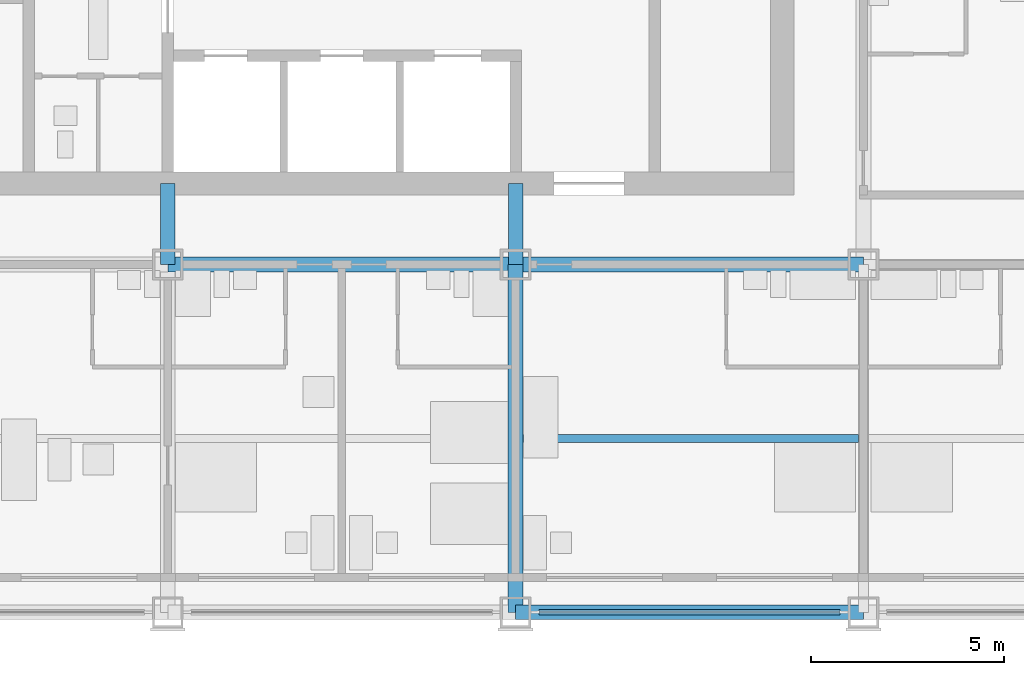
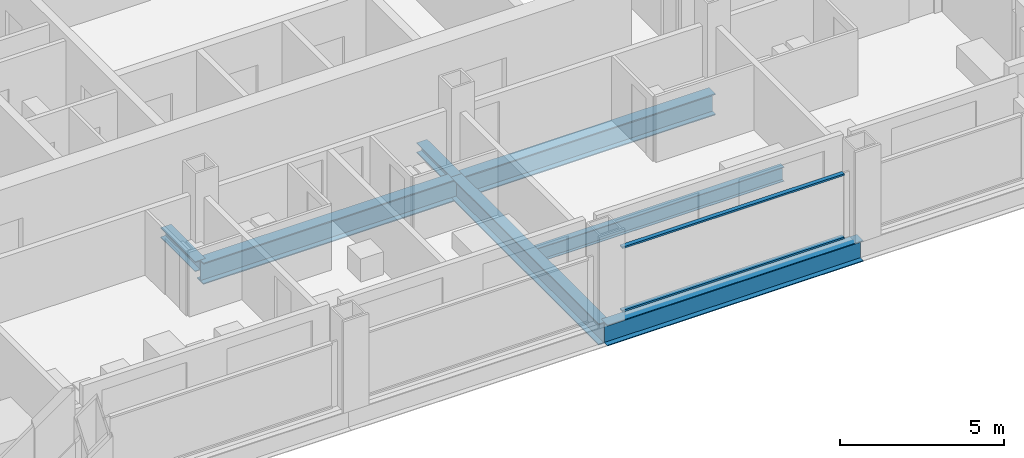
# One storey, part 3 of 16: 5 beams, 4 members, 1 element without a shape of its own.
"""IFC4 building model written with IfcOpenShell, lengths in metres."""

import ifcopenshell
import ifcopenshell.guid

model = None  # the IFC model being written
_history = None  # IfcOwnerHistory: only IFC2X3 demands one
_inside = {}  # id of a spatial element -> (the spatial element, [elements in it])
_under = {}  # id of a project, library or spatial element -> (it, [spatial elements below it])
_declared = {}  # id of a project -> (the project, [libraries it declares])
_typed = {}  # id of a type object -> (the type object, [elements of that type])
_made_of = {}  # id of a material, layer set ... -> (it, [elements and type objects made of it])


def new_model(schema):
    """Start an empty IFC model of exactly this schema.

    Asked for "IFC4X3", IfcOpenShell would pick the latest addendum, in which some entities
    have other attributes; the version numbers below select the first issue.
    IFC2X3 requires an IfcOwnerHistory on every rooted entity: one is made here for all.
    """
    global model, _history
    if schema == "IFC4X3":
        model = ifcopenshell.file(schema_version=(4, 3, 0, 0))
    else:
        model = ifcopenshell.file(schema=schema)
    _inside.clear()
    _under.clear()
    _declared.clear()
    _typed.clear()
    _made_of.clear()
    _history = None
    if model.schema == "IFC2X3":
        org = make("IfcOrganization", Name="unknown")
        user = make(
            "IfcPersonAndOrganization",
            ThePerson=make("IfcPerson", FamilyName="unknown"),
            TheOrganization=org,
        )
        app = make(
            "IfcApplication",
            ApplicationDeveloper=org,
            Version="unknown",
            ApplicationFullName="unknown",
            ApplicationIdentifier="unknown",
        )
        _history = make(
            "IfcOwnerHistory",
            OwningUser=user,
            OwningApplication=app,
            ChangeAction="ADDED",
            CreationDate=0,
        )
    return model


def make(cls, **values):
    """One entity of the class cls with the attributes given. An attribute that is None is left unset."""
    return model.create_entity(
        cls, **{name: value for name, value in values.items() if value is not None}
    )


def rooted(cls, **values):
    """An entity with a GlobalId (a new one), such as an element, a storey or a relation."""
    return make(cls, GlobalId=ifcopenshell.guid.new(), OwnerHistory=_history, **values)


def si_unit(unit_type, name, prefix=None):
    """IfcSIUnit, for example si_unit("LENGTHUNIT", "METRE", prefix="MILLI")."""
    return make("IfcSIUnit", UnitType=unit_type, Prefix=prefix, Name=name)


def assignment(units):
    """IfcUnitAssignment: the units of a project."""
    return None if units is None else make("IfcUnitAssignment", Units=units)


def point(xyz):
    """IfcCartesianPoint."""
    return None if xyz is None else make("IfcCartesianPoint", Coordinates=xyz)


def direction(xyz):
    """IfcDirection."""
    return None if xyz is None else make("IfcDirection", DirectionRatios=xyz)


def frame(location, z_axis=None, x_axis=None):
    """IfcAxis2Placement3D, a coordinate frame: its origin and axes. An axis left out is left unset."""
    return make(
        "IfcAxis2Placement3D",
        Location=point(location),
        Axis=direction(z_axis),
        RefDirection=direction(x_axis),
    )


def frame_2d(location, x_axis=None):
    """IfcAxis2Placement2D, a coordinate frame in the plane: its origin and x axis."""
    return make(
        "IfcAxis2Placement2D", Location=point(location), RefDirection=direction(x_axis)
    )


def origin():
    """The frame at (0, 0, 0) with its axes left unset."""
    return frame((0.0, 0.0, 0.0))


def origin_2d():
    """The frame at (0, 0) in the plane with its x axis left unset."""
    return frame_2d((0.0, 0.0))


def place(relative_to, where):
    """IfcLocalPlacement: puts the frame where relative to a parent placement (None: the world)."""
    return make(
        "IfcLocalPlacement", PlacementRelTo=relative_to, RelativePlacement=where
    )


def context(
    kind, dimensions, precision=None, world=None, true_north=None, identifier=None
):
    """IfcGeometricRepresentationContext, for example the 3D "Model" context."""
    return make(
        "IfcGeometricRepresentationContext",
        ContextIdentifier=identifier,
        ContextType=kind,
        CoordinateSpaceDimension=dimensions,
        Precision=precision,
        WorldCoordinateSystem=world,
        TrueNorth=true_north,
    )


def subcontext(parent, identifier, kind, view, scale=None):
    """IfcGeometricRepresentationSubContext, for example "Body" below "Model"."""
    return make(
        "IfcGeometricRepresentationSubContext",
        ContextIdentifier=identifier,
        ContextType=kind,
        ParentContext=parent,
        TargetScale=scale,
        TargetView=view,
    )


def project(units=None, contexts=None):
    """IfcProject with its units and contexts."""
    return rooted(
        "IfcProject",
        Name="project",
        RepresentationContexts=contexts,
        UnitsInContext=assignment(units),
    )


def spatial(cls, under=None, at=None, **own):
    """A site, building, storey or space (cls), placed at a placement, below another one or the project."""
    s = rooted(cls, ObjectPlacement=at, **own)
    if under is not None:
        _under.setdefault(under.id(), (under, []))[1].append(s)
    return s


def profile(cls, at=None, kind="AREA", **sizes):
    """A parametric profile (cls). Its sizes go by their IFC names, for example OverallWidth=200.0."""
    return make(cls, ProfileType=kind, Position=at, **sizes)


def rectangle(**sizes):
    """IfcRectangleProfileDef."""
    return profile("IfcRectangleProfileDef", **sizes)


def i_section(**sizes):
    """IfcIShapeProfileDef."""
    return profile("IfcIShapeProfileDef", **sizes)


def extrude(swept, where, along, depth):
    """IfcExtrudedAreaSolid: the profile swept, set in the frame where, extruded along a direction by depth."""
    return make(
        "IfcExtrudedAreaSolid",
        SweptArea=swept,
        Position=where,
        ExtrudedDirection=direction(along),
        Depth=depth,
    )


def shape(context_of_items, identifier, shape_type, items):
    """IfcShapeRepresentation: the items that make up one representation, for example the "Body"."""
    return make(
        "IfcShapeRepresentation",
        ContextOfItems=context_of_items,
        RepresentationIdentifier=identifier,
        RepresentationType=shape_type,
        Items=items,
    )


def material(Name=None, Category=None):
    """IfcMaterial."""
    return make("IfcMaterial", Name=Name, Category=Category)


def material_profile(
    of_material, cross_section, Name=None, Category=None, Priority=None
):
    """IfcMaterialProfile: a cross section and its material."""
    return make(
        "IfcMaterialProfile",
        Name=Name,
        Material=of_material,
        Profile=cross_section,
        Priority=Priority,
        Category=Category,
    )


def profile_set(profiles, Name=None, composite=None):
    """IfcMaterialProfileSet."""
    return make(
        "IfcMaterialProfileSet",
        Name=Name,
        MaterialProfiles=profiles,
        CompositeProfile=composite,
    )


def made_of(thing, what):
    """Note that an element or type object is made of a material, layer set ...; save() writes the relation."""
    if what is not None:
        _made_of.setdefault(what.id(), (what, []))[1].append(thing)
    return thing


def type_object(cls, material=None, **own):
    """A type object (cls), such as IfcWallType, which elements share."""
    return made_of(rooted(cls, **own), material)


def element(
    cls,
    number,
    at=None,
    inside=None,
    cuts=None,
    type_object=None,
    material=None,
    context=None,
    identifier="Body",
    shape_type=None,
    held_by="IfcProductDefinitionShape",
    body=None,
    shapes=None,
    **own,
):
    """One element of the class cls, such as IfcWall. Its Tag is "e" and its number.

    at: its placement. inside: the storey or other place that contains it. cuts: it is an
    opening in that element (IfcRelVoidsElement). A single representation is given by context,
    identifier, shape_type and body (its items); several are given by shapes. held_by: the class
    of the entity that holds the representations. save() writes the other relations.
    """
    e = rooted(cls, Tag="e%d" % number, ObjectPlacement=at, **own)
    if body is not None:
        shapes = [shape(context, identifier, shape_type, body)]
    if shapes is not None:
        e.Representation = make(held_by, Representations=shapes)
    if inside is not None:
        _inside.setdefault(inside.id(), (inside, []))[1].append(e)
    if cuts is not None:
        rooted(
            "IfcRelVoidsElement", RelatingBuildingElement=cuts, RelatedOpeningElement=e
        )
    if type_object is not None:
        _typed.setdefault(type_object.id(), (type_object, []))[1].append(e)
    return made_of(e, material)


def aggregate(whole, parts):
    """IfcRelAggregates: a whole, such as a stair, and the parts it consists of."""
    return rooted("IfcRelAggregates", RelatingObject=whole, RelatedObjects=parts)


def save(model, path):
    """Write the relations noted so far, then the file.

    IfcRelAggregates (storeys below a building ...), IfcRelContainedInSpatialStructure (elements
    in a storey), IfcRelDefinesByType, IfcRelAssociatesMaterial and IfcRelDeclares: one each for
    every whole, place, type object, material and project.
    """
    for whole, parts in _under.values():
        aggregate(whole, parts)
    for where, things in _inside.values():
        rooted(
            "IfcRelContainedInSpatialStructure",
            RelatedElements=things,
            RelatingStructure=where,
        )
    for kind, things in _typed.values():
        rooted("IfcRelDefinesByType", RelatedObjects=things, RelatingType=kind)
    for what, things in _made_of.values():
        rooted("IfcRelAssociatesMaterial", RelatedObjects=things, RelatingMaterial=what)
    for by, libraries in _declared.values():
        rooted("IfcRelDeclares", RelatingContext=by, RelatedDefinitions=libraries)
    model.write(path)


model = new_model("IFC4")

# Units and contexts
model_context = context("Model", 3, precision=1e-05, world=origin(), true_north=direction((0.0, 1.0)))
body_context = subcontext(model_context, "Body", "Model", "MODEL_VIEW")
ifc_project = project(units=[si_unit("LENGTHUNIT", "METRE"), si_unit("AREAUNIT", "SQUARE_METRE"), si_unit("VOLUMEUNIT", "CUBIC_METRE"), si_unit("PLANEANGLEUNIT", "RADIAN"), si_unit("MASSUNIT", "GRAM", prefix="KILO")], contexts=[model_context])

# Site, building, storey
site_placement = place(None, origin())
site = spatial("IfcSite", under=ifc_project, at=site_placement, CompositionType="ELEMENT")
building_placement = place(site_placement, origin())
building = spatial("IfcBuilding", under=site, at=building_placement, Name="Loomwork Tower", CompositionType="ELEMENT")
storey_placement = place(building_placement, frame((0.0, 0.0, 131.60009765625)))
storey = spatial("IfcBuildingStorey", under=building, at=storey_placement, Name="L35", CompositionType="ELEMENT", Elevation=131.60009765625)

# Beams
ifc_material_1 = material(Name="Steel ASTM A992", Category="steel")
ifc_material_profile_1 = material_profile(ifc_material_1, i_section(OverallWidth=0.383544921875, OverallDepth=0.794921875, WebThickness=0.02099609375, FlangeThickness=0.0380859375, at=origin_2d()), Name="W30x235")
ifc_profile_set_1 = profile_set([ifc_material_profile_1], Name="Steel ASTM A992")
beam_type_1 = type_object("IfcBeamType", Name="CORE FLANK GIRDER W30x235", PredefinedType="BEAM", material=ifc_profile_set_1)
for number, where, z_axis, x_axis, name in (
    (1, (18.0, 9.0, -0.59765625), (1.0, 0.0, 0.0), (0.0, 1.0, 0.0), "Core Flank Girder E/4-E/5 L35"),
    (2, (27.0, 9.0, -0.59765625), (1.0, 0.0, 0.0), (0.0, 1.0, 0.0), "Core Flank Girder E/5-E/6 L35"),
    (3, (27.0, 0.0, -0.59765625), (0.0, 1.0, 0.0), (-1.0, 0.0, 0.0), "Core Flank Girder D/5-E/5 L35"),
):
    element("IfcBeam", number, at=place(storey_placement, frame(where, z_axis=z_axis, x_axis=x_axis)), inside=storey, type_object=beam_type_1, Name=name, PredefinedType="BEAM", context=body_context, shape_type="SweptSolid", body=[
        extrude(i_section(OverallWidth=0.383544921875, OverallDepth=0.794921875, WebThickness=0.02099609375, FlangeThickness=0.0380859375, at=origin_2d()), origin(), (0.0, 0.0, 1.0), 9.0),
    ])

# Members
ifc_material_2 = material(Name="Steel ASTM A992", Category="steel")
ifc_material_profile_2 = material_profile(ifc_material_2, i_section(OverallWidth=0.373291015625, OverallDepth=0.373291015625, WebThickness=0.016357421875, FlangeThickness=0.026123046875, at=origin_2d()), Name="W14x132")
ifc_profile_set_2 = profile_set([ifc_material_profile_2], Name="Steel ASTM A992")
member_type_1 = type_object("IfcMemberType", Name="CORE LINK STRUT W14x132", PredefinedType="STRUT", material=ifc_profile_set_2)
for number, where, z_axis, x_axis, name in (
    (4, (27.0, 9.0, -0.38671875), (0.0, 1.0, 0.0), (-1.0, 0.0, 0.0), "Core link strut E/5-27.000,11.100 L35"),
    (5, (18.0, 9.0, -0.38671875), (0.0, 1.0, 0.0), (-1.0, 0.0, 0.0), "Core link strut E/4-18.000,11.100 L35"),
):
    element("IfcMember", number, at=place(storey_placement, frame(where, z_axis=z_axis, x_axis=x_axis)), inside=storey, type_object=member_type_1, Name=name, PredefinedType="STRUT", context=body_context, shape_type="SweptSolid", body=[
        extrude(i_section(OverallWidth=0.373291015625, OverallDepth=0.373291015625, WebThickness=0.016357421875, FlangeThickness=0.026123046875, at=origin_2d()), origin(), (0.0, 0.0, 1.0), 2.10009765625),
    ])

# Beam
ifc_material_3 = material(Name="Steel ASTM A992", Category="steel")
ifc_material_profile_3 = material_profile(ifc_material_3, i_section(OverallWidth=0.2109375, OverallDepth=0.53857421875, WebThickness=0.011474609375, FlangeThickness=0.018798828125, at=origin_2d()), Name="W21x73")
ifc_profile_set_3 = profile_set([ifc_material_profile_3], Name="Steel ASTM A992")
beam_type_2 = type_object("IfcBeamType", Name="FLOOR JOIST W21x73", PredefinedType="JOIST", material=ifc_profile_set_3)
beam_1_placement = place(storey_placement, frame((27.19091796875, 4.5, -0.46923828125), z_axis=(1.0, 0.0, 0.0), x_axis=(0.0, 1.0, 0.0)))
element("IfcBeam", 6, at=beam_1_placement, inside=storey, type_object=beam_type_2, Name="Floor Joist 27.000,4.500-36.000,4.500 L35", PredefinedType="JOIST", context=body_context, shape_type="SweptSolid", body=[
    extrude(i_section(OverallWidth=0.2109375, OverallDepth=0.53857421875, WebThickness=0.011474609375, FlangeThickness=0.018798828125, at=origin_2d()), origin(), (0.0, 0.0, 1.0), 8.676025390625),
])

# Curtain wall, members
ifc_material_4 = material(Name="Aluminium curtain wall frame", Category="aluminium")
curtain_wall_type = type_object("IfcCurtainWallType", Name="Outer skin glazing hotel", PredefinedType="NOTDEFINED", material=ifc_material_4)
curtain_wall_placement = place(storey_placement, origin())
curtain_wall = element("IfcCurtainWall", 7, at=curtain_wall_placement, inside=storey, type_object=curtain_wall_type, Name="Outer skin glazing hotel cw/S-27", PredefinedType="NOTDEFINED")
ifc_material_5 = material(Name="Aluminium curtain wall frame", Category="aluminium")
ifc_material_profile_4 = material_profile(ifc_material_5, rectangle(XDim=0.14990234375, YDim=0.06494140625, at=origin_2d()), Name="AL 65x150")
ifc_profile_set_4 = profile_set([ifc_material_profile_4], Name="Aluminium curtain wall frame")
member_type_2 = type_object("IfcMemberType", Name="Outer skin glazing hotel transom", PredefinedType="USERDEFINED", material=ifc_profile_set_4)
member_1_placement = place(storey_placement, frame((27.60009765625, 0.0, 0.032470703125), z_axis=(1.0, 0.0, 0.0), x_axis=(0.0, 1.0, 0.0)))
member_1 = element("IfcMember", 8, at=member_1_placement, type_object=member_type_2, Name="CW1 transom 1.1", ObjectType="TRANSOM", PredefinedType="USERDEFINED", context=body_context, shape_type="SweptSolid", body=[
    extrude(rectangle(XDim=0.14990234375, YDim=0.06494140625, at=origin_2d()), origin(), (0.0, 0.0, 1.0), 7.7998046875),
])
member_2_placement = place(storey_placement, frame((27.60009765625, 0.0, 2.3876953125), z_axis=(1.0, 0.0, 0.0), x_axis=(0.0, 1.0, 0.0)))
member_2 = element("IfcMember", 9, at=member_2_placement, type_object=member_type_2, Name="CW1 transom 1.2", ObjectType="TRANSOM", PredefinedType="USERDEFINED", context=body_context, shape_type="SweptSolid", body=[
    extrude(rectangle(XDim=0.14990234375, YDim=0.06494140625, at=origin_2d()), origin(), (0.0, 0.0, 1.0), 7.7998046875),
])
aggregate(curtain_wall, [member_1, member_2])

# Beam
ifc_material_6 = material(Name="Steel ASTM A992", Category="steel")
ifc_material_profile_5 = material_profile(ifc_material_6, i_section(OverallWidth=0.381103515625, OverallDepth=0.77978515625, WebThickness=0.01806640625, FlangeThickness=0.0302734375, at=origin_2d()), Name="W30x191")
ifc_profile_set_5 = profile_set([ifc_material_profile_5], Name="Steel ASTM A992")
beam_type_3 = type_object("IfcBeamType", Name="SPANDREL GIRDER W30x191", PredefinedType="SPANDREL", material=ifc_profile_set_5)
beam_2_placement = place(storey_placement, frame((27.0, 0.0, -0.590087890625), z_axis=(1.0, 0.0, 0.0), x_axis=(0.0, 1.0, 0.0)))
element("IfcBeam", 10, at=beam_2_placement, inside=storey, type_object=beam_type_3, Name="Spandrel Girder D/5-D/6 L35", PredefinedType="SPANDREL", context=body_context, shape_type="SweptSolid", body=[
    extrude(i_section(OverallWidth=0.381103515625, OverallDepth=0.77978515625, WebThickness=0.01806640625, FlangeThickness=0.0302734375, at=origin_2d()), origin(), (0.0, 0.0, 1.0), 9.0),
])

save(model, "model.ifc")
